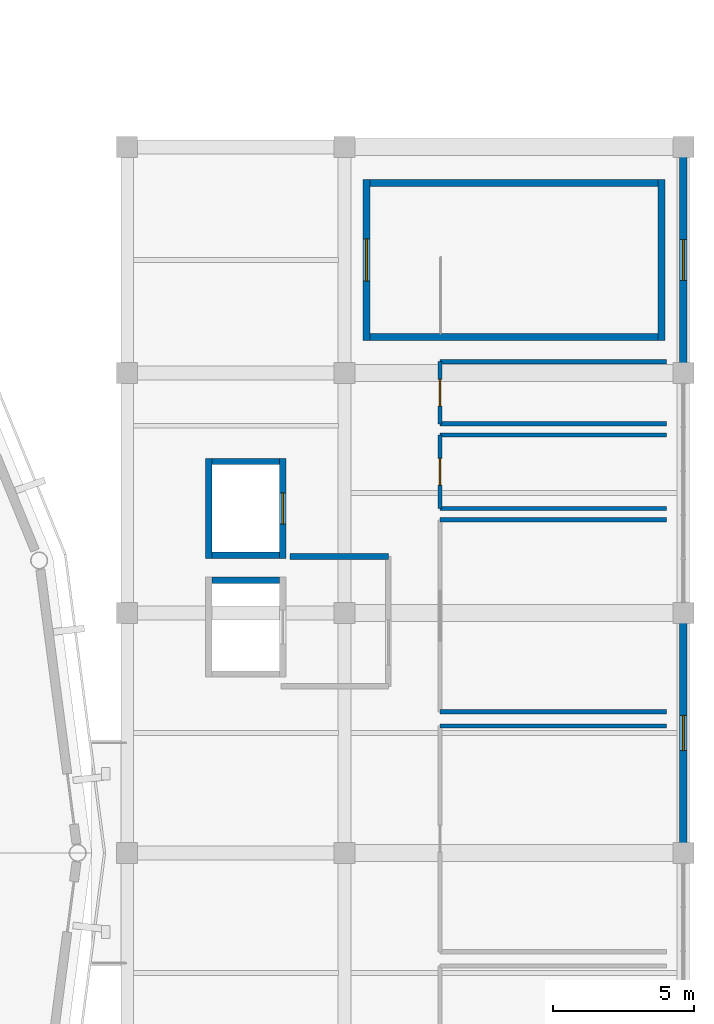
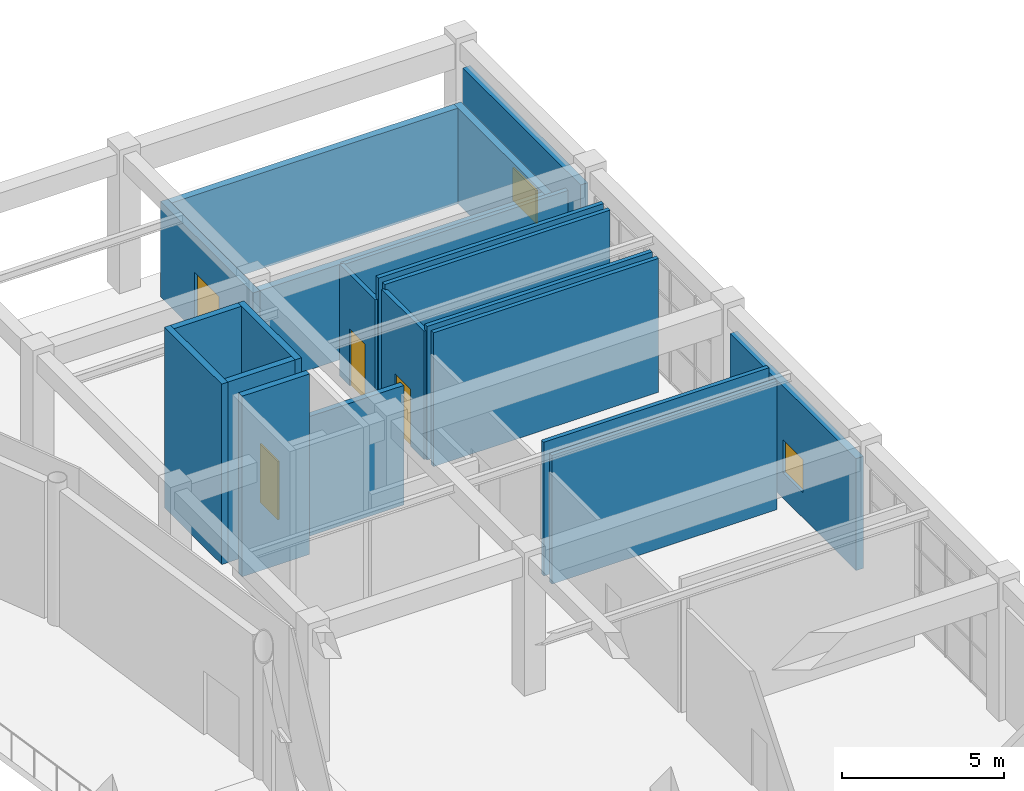
# One storey, part 35 of 40: 21 walls, 4 doors, 2 windows, 6 openings.
"""IFC4 building model written with IfcOpenShell, lengths in metres."""

from ifc_helpers import new_model, si_unit, direction, frame, frame_2d, origin, place, context, subcontext, project, spatial, rectangle, extrude, material, layer, layer_set, type_object, element, fill, save


model = new_model("IFC4")

# Units and contexts
model_context = context("Model", 3, precision=1e-05, world=origin(), true_north=direction((0.0, 1.0)))
body_context = subcontext(model_context, "Body", "Model", "MODEL_VIEW")
ifc_project = project(units=[si_unit("LENGTHUNIT", "METRE"), si_unit("AREAUNIT", "SQUARE_METRE"), si_unit("VOLUMEUNIT", "CUBIC_METRE"), si_unit("PLANEANGLEUNIT", "RADIAN"), si_unit("MASSUNIT", "GRAM", prefix="KILO")], contexts=[model_context])

# Site, building, storey
site_placement = place(None, origin())
site = spatial("IfcSite", under=ifc_project, at=site_placement, CompositionType="ELEMENT")
building_placement = place(site_placement, origin())
building = spatial("IfcBuilding", under=site, at=building_placement, Name="Cuetzalor Civic Arena", CompositionType="ELEMENT")
storey_placement = place(building_placement, frame((0.0, 0.0, 26.39990234375)))
storey = spatial("IfcBuildingStorey", under=building, at=storey_placement, Name="L05", CompositionType="ELEMENT", Elevation=26.39990234375)

# Walls
ifc_material_1 = material(Name="Acoustic steel-stud gypsum partition", Category="steel")
ifc_layer_1 = layer(ifc_material_1, 0.14990234375)
ifc_layer_set_1 = layer_set([ifc_layer_1], Name="Acoustic steel-stud gypsum partition")
wall_type_1 = type_object("IfcWallType", Name="AcousticGypsumPartition_150", PredefinedType="PARTITIONING", material=ifc_layer_set_1)
wall_1_placement = place(storey_placement, frame((67.3798828125, 4.5, 0.0), z_axis=(0.0, 0.0, 1.0), x_axis=(1.0, 0.0, 0.0)))
element("IfcWall", 1, at=wall_1_placement, inside=storey, type_object=wall_type_1, Name="Interior Partition IWALL:L05:0565", PredefinedType="PARTITIONING", context=body_context, shape_type="SweptSolid", body=[
    extrude(rectangle(XDim=8.02001953125, YDim=0.14990234375, at=frame_2d((4.010009765625, 0.0))), origin(), (0.0, 0.0, 1.0), 4.842041015625),
])
for number, where, z_axis, x_axis, name in (
    (2, (67.3798828125, 11.800048828125, 0.0), (0.0, 0.0, 1.0), (1.0, 0.0, 0.0), "Interior Partition IWALL:L05:0568"),
    (3, (75.39990234375, 5.0, 0.0), (0.0, 0.0, 1.0), (-1.0, 0.0, 0.0), "Interior Partition IWALL:L05:0569"),
    (4, (67.3798828125, 14.800048828125, 0.0), (0.0, 0.0, 1.0), (1.0, 0.0, 0.0), "Interior Partition IWALL:L05:0571"),
    (5, (75.39990234375, 12.199951171875, 0.0), (0.0, 0.0, 1.0), (-1.0, 0.0, 0.0), "Interior Partition IWALL:L05:0572"),
):
    element("IfcWall", number, at=place(storey_placement, frame(where, z_axis=z_axis, x_axis=x_axis)), inside=storey, type_object=wall_type_1, Name=name, PredefinedType="PARTITIONING", context=body_context, shape_type="SweptSolid", body=[
        extrude(rectangle(XDim=8.02001953125, YDim=0.14990234375, at=frame_2d((4.010009765625, 0.0))), origin(), (0.0, 0.0, 1.0), 5.0400390625),
    ])

# Wall, opening, door
wall_2_placement = place(storey_placement, frame((67.3798828125, 12.199951171875, 0.0), z_axis=(0.0, 0.0, 1.0), x_axis=(0.0, 1.0, 0.0)))
wall_2 = element("IfcWall", 6, at=wall_2_placement, inside=storey, type_object=wall_type_1, Name="Interior Partition IWALL:L05:0573", PredefinedType="PARTITIONING", context=body_context, shape_type="SweptSolid", body=[
    extrude(rectangle(XDim=2.60009765625, YDim=0.14990234375, at=frame_2d((1.300048828125, 0.0))), origin(), (0.0, 0.0, 1.0), 4.842041015625),
])
opening_1_placement = place(wall_2_placement, frame((0.824951171875, 0.0, 0.0)))
opening_1 = element("IfcOpeningElement", 7, at=opening_1_placement, cuts=wall_2, Name="Opening ID-03", PredefinedType="OPENING", context=body_context, shape_type="SweptSolid", body=[
    extrude(rectangle(XDim=0.949951171875, YDim=2.14990234375, at=frame_2d((0.47509765625, 1.074951171875))), frame((0.0, 0.0849609375, 0.0), z_axis=(0.0, -1.0, 0.0), x_axis=(1.0, 0.0, 0.0)), (0.0, 0.0, 1.0), 0.169921875),
])
ifc_material_2 = material(Name="Painted steel frame and solid timber leaf", Category="steel")
door_type_1 = type_object("IfcDoorType", Name="InteriorSingleDoor_950x2150", OperationType="NOTDEFINED", PredefinedType="DOOR", material=ifc_material_2)
door_1_placement = place(opening_1_placement, origin())
door_1 = element("IfcDoor", 8, at=door_1_placement, inside=storey, type_object=door_type_1, Name="Door to Public Restroom Media East L05", OperationType="SINGLE_SWING_RIGHT", OverallHeight=2.14990234375, OverallWidth=0.949951171875, PredefinedType="DOOR", context=body_context, shape_type="SweptSolid", body=[
    extrude(rectangle(XDim=0.949951171875, YDim=2.14990234375, at=frame_2d((0.47509765625, 1.074951171875))), frame((0.0, 0.02490234375, 0.0), z_axis=(0.0, -1.0, 0.0), x_axis=(1.0, 0.0, 0.0)), (0.0, 0.0, 1.0), 0.050048828125),
])
fill(opening_1, door_1)

# Walls
wall_3_placement = place(storey_placement, frame((67.3798828125, 17.39990234375, 0.0), z_axis=(0.0, 0.0, 1.0), x_axis=(1.0, 0.0, 0.0)))
element("IfcWall", 9, at=wall_3_placement, inside=storey, type_object=wall_type_1, Name="Interior Partition IWALL:L05:0574", PredefinedType="PARTITIONING", context=body_context, shape_type="SweptSolid", body=[
    extrude(rectangle(XDim=8.02001953125, YDim=0.14990234375, at=frame_2d((4.010009765625, 0.0))), origin(), (0.0, 0.0, 1.0), 4.205078125),
])
wall_4_placement = place(storey_placement, frame((75.39990234375, 15.199951171875, 0.0), z_axis=(0.0, 0.0, 1.0), x_axis=(-1.0, 0.0, 0.0)))
element("IfcWall", 10, at=wall_4_placement, inside=storey, type_object=wall_type_1, Name="Interior Partition IWALL:L05:0575", PredefinedType="PARTITIONING", context=body_context, shape_type="SweptSolid", body=[
    extrude(rectangle(XDim=8.02001953125, YDim=0.14990234375, at=frame_2d((4.010009765625, 0.0))), origin(), (0.0, 0.0, 1.0), 5.0400390625),
])

# Wall, opening, door
wall_5_placement = place(storey_placement, frame((67.3798828125, 15.199951171875, 0.0), z_axis=(0.0, 0.0, 1.0), x_axis=(0.0, 1.0, 0.0)))
wall_5 = element("IfcWall", 11, at=wall_5_placement, inside=storey, type_object=wall_type_1, Name="Interior Partition IWALL:L05:0576", PredefinedType="PARTITIONING", context=body_context, shape_type="SweptSolid", body=[
    extrude(rectangle(XDim=2.199951171875, YDim=0.14990234375, at=frame_2d((1.10009765625, 0.0))), origin(), (0.0, 0.0, 1.0), 4.205078125),
])
opening_2_placement = place(wall_5_placement, frame((0.625, 0.0, 0.0)))
opening_2 = element("IfcOpeningElement", 12, at=opening_2_placement, cuts=wall_5, Name="Opening ID-03", PredefinedType="OPENING", context=body_context, shape_type="SweptSolid", body=[
    extrude(rectangle(XDim=0.949951171875, YDim=2.14990234375, at=frame_2d((0.47509765625, 1.074951171875))), frame((0.0, 0.0849609375, 0.0), z_axis=(0.0, -1.0, 0.0), x_axis=(1.0, 0.0, 0.0)), (0.0, 0.0, 1.0), 0.169921875),
])
door_2_placement = place(opening_2_placement, origin())
door_2 = element("IfcDoor", 13, at=door_2_placement, inside=storey, type_object=door_type_1, Name="Door to Accessible WC Media East L05", OperationType="SINGLE_SWING_LEFT", OverallHeight=2.14990234375, OverallWidth=0.949951171875, PredefinedType="DOOR", context=body_context, shape_type="SweptSolid", body=[
    extrude(rectangle(XDim=0.949951171875, YDim=2.14990234375, at=frame_2d((0.47509765625, 1.074951171875))), frame((0.0, 0.02490234375, 0.0), z_axis=(0.0, -1.0, 0.0), x_axis=(1.0, 0.0, 0.0)), (0.0, 0.0, 1.0), 0.050048828125),
])
fill(opening_2, door_2)

ifc_material_3 = material(Name="Concrete C40/50", Category="concrete")
ifc_layer_2 = layer(ifc_material_3, 0.25)
ifc_layer_set_2 = layer_set([ifc_layer_2], Name="Concrete C40/50")
wall_type_2 = type_object("IfcWallType", Name="ConcreteCoreShearWall_250", PredefinedType="SHEAR", material=ifc_layer_set_2)
wall_6_placement = place(storey_placement, frame((64.77490234375, 18.14990234375, 0.0), z_axis=(0.0, 0.0, 1.0), x_axis=(0.0, 1.0, 0.0)))
wall_6 = element("IfcWall", 14, at=wall_6_placement, inside=storey, type_object=wall_type_2, Name="Stair Core Shear Wall ST-22-L05-W", PredefinedType="SHEAR", context=body_context, shape_type="SweptSolid", body=[
    extrude(rectangle(XDim=5.7001953125, YDim=0.25, at=frame_2d((2.85009765625, 0.0))), origin(), (0.0, 0.0, 1.0), 3.60009765625),
])
opening_3_placement = place(wall_6_placement, frame((2.10009765625, 0.0, 0.0)))
opening_3 = element("IfcOpeningElement", 15, at=opening_3_placement, cuts=wall_6, Name="Opening FD-03", PredefinedType="OPENING", context=body_context, shape_type="SweptSolid", body=[
    extrude(rectangle(XDim=1.5, YDim=2.199951171875, at=frame_2d((0.75, 1.10009765625))), frame((0.0, 0.135009765625, 0.0), z_axis=(0.0, -1.0, 0.0), x_axis=(1.0, 0.0, 0.0)), (0.0, 0.0, 1.0), 0.27001953125),
])
ifc_material_4 = material(Name="Fire-rated steel stair exit double door", Category="steel")
door_type_2 = type_object("IfcDoorType", Name="StairFireDoubleDoor_1500x2200", OperationType="DOUBLE_DOOR_SINGLE_SWING", PredefinedType="DOOR", material=ifc_material_4)
door_3_placement = place(opening_3_placement, origin())
door_3 = element("IfcDoor", 16, at=door_3_placement, inside=storey, type_object=door_type_2, Name="Fire Stair Door ST-22 L05", OperationType="DOUBLE_DOOR_SINGLE_SWING", OverallHeight=2.199951171875, OverallWidth=1.5, PredefinedType="DOOR", context=body_context, shape_type="SweptSolid", body=[
    extrude(rectangle(XDim=1.5, YDim=2.199951171875, at=frame_2d((0.75, 1.10009765625))), frame((0.0, 0.02490234375, 0.0), z_axis=(0.0, -1.0, 0.0), x_axis=(1.0, 0.0, 0.0)), (0.0, 0.0, 1.0), 0.050048828125),
])
fill(opening_3, door_3)

# Walls
wall_7_placement = place(storey_placement, frame((64.89990234375, 23.72509765625, 0.0), z_axis=(0.0, 0.0, 1.0), x_axis=(1.0, 0.0, 0.0)))
element("IfcWall", 17, at=wall_7_placement, inside=storey, type_object=wall_type_2, Name="Stair Core Shear Wall ST-22-L05-N", PredefinedType="SHEAR", context=body_context, shape_type="SweptSolid", body=[
    extrude(rectangle(XDim=10.2001953125, YDim=0.25, at=frame_2d((5.10009765625, 0.0))), origin(), (0.0, 0.0, 1.0), 3.60009765625),
])
wall_8_placement = place(storey_placement, frame((75.22509765625, 23.85009765625, 0.0), z_axis=(0.0, 0.0, 1.0), x_axis=(0.0, -1.0, 0.0)))
element("IfcWall", 18, at=wall_8_placement, inside=storey, type_object=wall_type_2, Name="Stair Core Shear Wall ST-22-L05-E", PredefinedType="SHEAR", context=body_context, shape_type="SweptSolid", body=[
    extrude(rectangle(XDim=5.7001953125, YDim=0.25, at=frame_2d((2.85009765625, 0.0))), origin(), (0.0, 0.0, 1.0), 3.60009765625),
])
wall_9_placement = place(storey_placement, frame((75.10009765625, 18.27490234375, 0.0), z_axis=(0.0, 0.0, 1.0), x_axis=(-1.0, 0.0, 0.0)))
element("IfcWall", 19, at=wall_9_placement, inside=storey, type_object=wall_type_2, Name="Stair Core Shear Wall ST-22-L05-S", PredefinedType="SHEAR", context=body_context, shape_type="SweptSolid", body=[
    extrude(rectangle(XDim=10.2001953125, YDim=0.25, at=frame_2d((5.10009765625, 0.0))), origin(), (0.0, 0.0, 1.0), 3.60009765625),
])
ifc_material_5 = material(Name="Fire-rated masonry and gypsum partition", Category="masonry")
ifc_layer_3 = layer(ifc_material_5, 0.199951171875)
ifc_layer_set_3 = layer_set([ifc_layer_3], Name="Fire-rated masonry and gypsum partition")
wall_type_3 = type_object("IfcWallType", Name="FireCompartmentWall_200", PredefinedType="PARTITIONING", material=ifc_layer_set_3)
wall_10_placement = place(storey_placement, frame((62.070068359375, 10.5, 0.0), z_axis=(0.0, 0.0, 1.0), x_axis=(1.0, 0.0, 0.0)))
element("IfcWall", 20, at=wall_10_placement, inside=storey, type_object=wall_type_3, Name="Interior Partition IWALL:L05:0071", PredefinedType="PARTITIONING", context=body_context, shape_type="SweptSolid", body=[
    extrude(rectangle(XDim=3.47998046875, YDim=0.199951171875, at=frame_2d((1.739990234375, 0.0))), origin(), (0.0, 0.0, 1.0), 4.505126953125),
])
ifc_material_6 = material(Name="Concrete C40/50", Category="concrete")
ifc_layer_4 = layer(ifc_material_6, 0.219970703125)
ifc_layer_set_4 = layer_set([ifc_layer_4], Name="Concrete C40/50")
wall_type_4 = type_object("IfcWallType", Name="LiftShaftShearWall_220", PredefinedType="SHEAR", material=ifc_layer_set_4)
wall_11_placement = place(storey_placement, frame((59.300048828125, 9.659912109375, 0.0), z_axis=(0.0, 0.0, 1.0), x_axis=(1.0, 0.0, 0.0)))
element("IfcWall", 21, at=wall_11_placement, inside=storey, type_object=wall_type_4, Name="Lift Shaft Wall LF-04-L05-N", PredefinedType="SHEAR", context=body_context, shape_type="SweptSolid", body=[
    extrude(rectangle(XDim=2.39990234375, YDim=0.219970703125, at=frame_2d((1.199951171875, 0.0))), origin(), (0.0, 0.0, 1.0), 6.800048828125),
])
wall_12_placement = place(storey_placement, frame((59.18994140625, 10.429931640625, 0.0), z_axis=(0.0, 0.0, 1.0), x_axis=(0.0, 1.0, 0.0)))
element("IfcWall", 22, at=wall_12_placement, inside=storey, type_object=wall_type_4, Name="Lift Shaft Wall LP-06-L05-W", PredefinedType="SHEAR", context=body_context, shape_type="SweptSolid", body=[
    extrude(rectangle(XDim=3.5400390625, YDim=0.219970703125, at=frame_2d((1.77001953125, 0.0))), origin(), (0.0, 0.0, 1.0), 6.800048828125),
])
wall_13_placement = place(storey_placement, frame((59.300048828125, 13.860107421875, 0.0), z_axis=(0.0, 0.0, 1.0), x_axis=(1.0, 0.0, 0.0)))
element("IfcWall", 23, at=wall_13_placement, inside=storey, type_object=wall_type_4, Name="Lift Shaft Wall LP-06-L05-N", PredefinedType="SHEAR", context=body_context, shape_type="SweptSolid", body=[
    extrude(rectangle(XDim=2.39990234375, YDim=0.219970703125, at=frame_2d((1.199951171875, 0.0))), origin(), (0.0, 0.0, 1.0), 6.800048828125),
])

# Wall, opening, door
wall_14_placement = place(storey_placement, frame((61.81005859375, 13.969970703125, 0.0), z_axis=(0.0, 0.0, 1.0), x_axis=(0.0, -1.0, 0.0)))
wall_14 = element("IfcWall", 24, at=wall_14_placement, inside=storey, type_object=wall_type_4, Name="Lift Shaft Wall LP-06-L05-E", PredefinedType="SHEAR", context=body_context, shape_type="SweptSolid", body=[
    extrude(rectangle(XDim=3.5400390625, YDim=0.219970703125, at=frame_2d((1.77001953125, 0.0))), origin(), (0.0, 0.0, 1.0), 6.800048828125),
])
opening_4_placement = place(wall_14_placement, frame((1.219970703125, 0.0, 0.0)))
opening_4 = element("IfcOpeningElement", 25, at=opening_4_placement, cuts=wall_14, Name="Opening LD-01", PredefinedType="OPENING", context=body_context, shape_type="SweptSolid", body=[
    extrude(rectangle(XDim=1.10009765625, YDim=2.199951171875, at=frame_2d((0.550048828125, 1.10009765625))), frame((0.0, 0.1201171875, 0.0), z_axis=(0.0, -1.0, 0.0), x_axis=(1.0, 0.0, 0.0)), (0.0, 0.0, 1.0), 0.239990234375),
])
ifc_material_7 = material(Name="Brushed stainless steel sliding lift landing door", Category="steel")
door_type_3 = type_object("IfcDoorType", Name="LiftLandingSlidingDoor_1100x2200", OperationType="SLIDING_TO_LEFT", PredefinedType="DOOR", material=ifc_material_7)
door_4_placement = place(opening_4_placement, origin())
door_4 = element("IfcDoor", 26, at=door_4_placement, inside=storey, type_object=door_type_3, Name="Lift Landing Sliding Door LP-06 L05", OperationType="SLIDING_TO_LEFT", OverallHeight=2.199951171875, OverallWidth=1.10009765625, PredefinedType="DOOR", context=body_context, shape_type="SweptSolid", body=[
    extrude(rectangle(XDim=1.10009765625, YDim=2.199951171875, at=frame_2d((0.550048828125, 1.10009765625))), frame((0.0, 0.02490234375, 0.0), z_axis=(0.0, -1.0, 0.0), x_axis=(1.0, 0.0, 0.0)), (0.0, 0.0, 1.0), 0.050048828125),
])
fill(opening_4, door_4)

# Wall
wall_15_placement = place(storey_placement, frame((61.699951171875, 10.5400390625, 0.0), z_axis=(0.0, 0.0, 1.0), x_axis=(-1.0, 0.0, 0.0)))
element("IfcWall", 27, at=wall_15_placement, inside=storey, type_object=wall_type_4, Name="Lift Shaft Wall LP-06-L05-S", PredefinedType="SHEAR", context=body_context, shape_type="SweptSolid", body=[
    extrude(rectangle(XDim=2.39990234375, YDim=0.219970703125, at=frame_2d((1.199951171875, 0.0))), origin(), (0.0, 0.0, 1.0), 6.800048828125),
])

# Wall, opening, window
ifc_material_8 = material(Name="Insulated bronze aluminium panel wall", Category="aluminium")
ifc_layer_5 = layer(ifc_material_8, 0.260009765625)
ifc_layer_set_5 = layer_set([ifc_layer_5], Name="Insulated bronze aluminium panel wall")
wall_type_5 = type_object("IfcWallType", Name="MediaClerestoryWall_260", PredefinedType="SOLIDWALL", material=ifc_layer_set_5)
wall_16_placement = place(storey_placement, frame((76.0, 8.14306640625, 0.0), z_axis=(0.0, 0.0, 1.0), x_axis=(0.0, -1.0, 0.0)))
wall_16 = element("IfcWall", 28, at=wall_16_placement, inside=storey, type_object=wall_type_5, Name="V4E Media Envelope Wall L05-180", PredefinedType="SOLIDWALL", context=body_context, shape_type="SweptSolid", body=[
    extrude(rectangle(XDim=7.7861328125, YDim=0.260009765625, at=frame_2d((3.89306640625, 0.0))), origin(), (0.0, 0.0, 1.0), 4.22021484375),
])
opening_5_placement = place(wall_16_placement, frame((3.26806640625, 0.0, 0.949951171875)))
opening_5 = element("IfcOpeningElement", 29, at=opening_5_placement, cuts=wall_16, Name="Opening WN-02", PredefinedType="OPENING", context=body_context, shape_type="SweptSolid", body=[
    extrude(rectangle(XDim=1.25, YDim=1.25, at=frame_2d((0.625, 0.625))), frame((0.0, 0.14013671875, 0.0), z_axis=(0.0, -1.0, 0.0), x_axis=(1.0, 0.0, 0.0)), (0.0, 0.0, 1.0), 0.280029296875),
])
ifc_material_9 = material(Name="Anodised bronze aluminium and low-E solar glass", Category="aluminium")
window_type_1 = type_object("IfcWindowType", Name="BronzeThermalWindow_1250x1250", PartitioningType="SINGLE_PANEL", PredefinedType="WINDOW", material=ifc_material_9)
window_1_placement = place(opening_5_placement, origin())
window_1 = element("IfcWindow", 30, at=window_1_placement, inside=storey, type_object=window_type_1, Name="Media Studio Window L05-0065", OverallHeight=1.25, OverallWidth=1.25, PartitioningType="SINGLE_PANEL", PredefinedType="WINDOW", context=body_context, shape_type="SweptSolid", body=[
    extrude(rectangle(XDim=1.25, YDim=1.25, at=frame_2d((0.625, 0.625))), frame((0.0, 0.030029296875, 0.0), z_axis=(0.0, -1.0, 0.0), x_axis=(1.0, 0.0, 0.0)), (0.0, 0.0, 1.0), 0.06005859375),
])
fill(opening_5, window_1)

wall_17_placement = place(storey_placement, frame((76.0, 24.64306640625, 0.0), z_axis=(0.0, 0.0, 1.0), x_axis=(0.0, -1.0, 0.0)))
wall_17 = element("IfcWall", 31, at=wall_17_placement, inside=storey, type_object=wall_type_5, Name="V4E Media Envelope Wall L05-181", PredefinedType="SOLIDWALL", context=body_context, shape_type="SweptSolid", body=[
    extrude(rectangle(XDim=7.2861328125, YDim=0.260009765625, at=frame_2d((3.64306640625, 0.0))), origin(), (0.0, 0.0, 1.0), 4.22021484375),
])
opening_6_placement = place(wall_17_placement, frame((2.91796875, 0.0, 0.949951171875)))
opening_6 = element("IfcOpeningElement", 32, at=opening_6_placement, cuts=wall_17, Name="Opening WN-03", PredefinedType="OPENING", context=body_context, shape_type="SweptSolid", body=[
    extrude(rectangle(XDim=1.449951171875, YDim=1.25, at=frame_2d((0.72509765625, 0.625))), frame((0.0, 0.14013671875, 0.0), z_axis=(0.0, -1.0, 0.0), x_axis=(1.0, 0.0, 0.0)), (0.0, 0.0, 1.0), 0.280029296875),
])
ifc_material_10 = material(Name="Anodised bronze aluminium and low-E solar glass", Category="aluminium")
window_type_2 = type_object("IfcWindowType", Name="BronzeThermalWindow_1450x1250", PartitioningType="SINGLE_PANEL", PredefinedType="WINDOW", material=ifc_material_10)
window_2_placement = place(opening_6_placement, origin())
window_2 = element("IfcWindow", 33, at=window_2_placement, inside=storey, type_object=window_type_2, Name="Media Studio Window L05-0066", OverallHeight=1.25, OverallWidth=1.449951171875, PartitioningType="SINGLE_PANEL", PredefinedType="WINDOW", context=body_context, shape_type="SweptSolid", body=[
    extrude(rectangle(XDim=1.449951171875, YDim=1.25, at=frame_2d((0.72509765625, 0.625))), frame((0.0, 0.030029296875, 0.0), z_axis=(0.0, -1.0, 0.0), x_axis=(1.0, 0.0, 0.0)), (0.0, 0.0, 1.0), 0.06005859375),
])
fill(opening_6, window_2)

save(model, "model.ifc")
